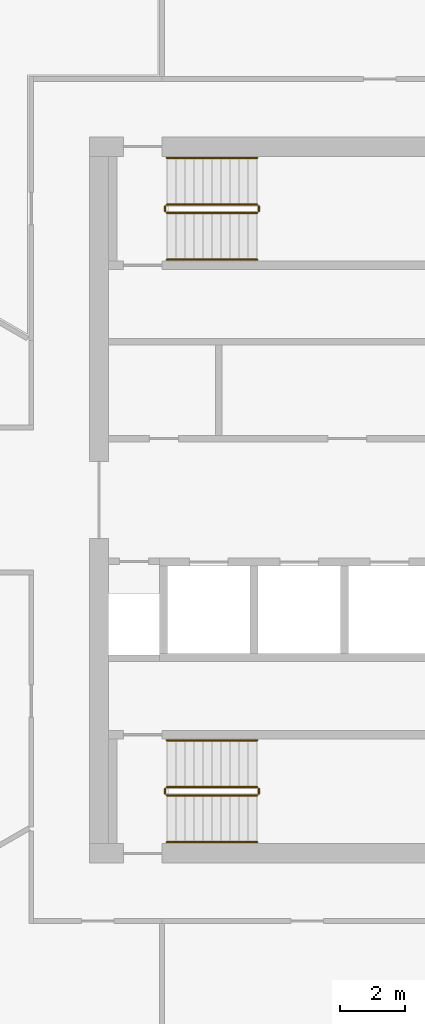
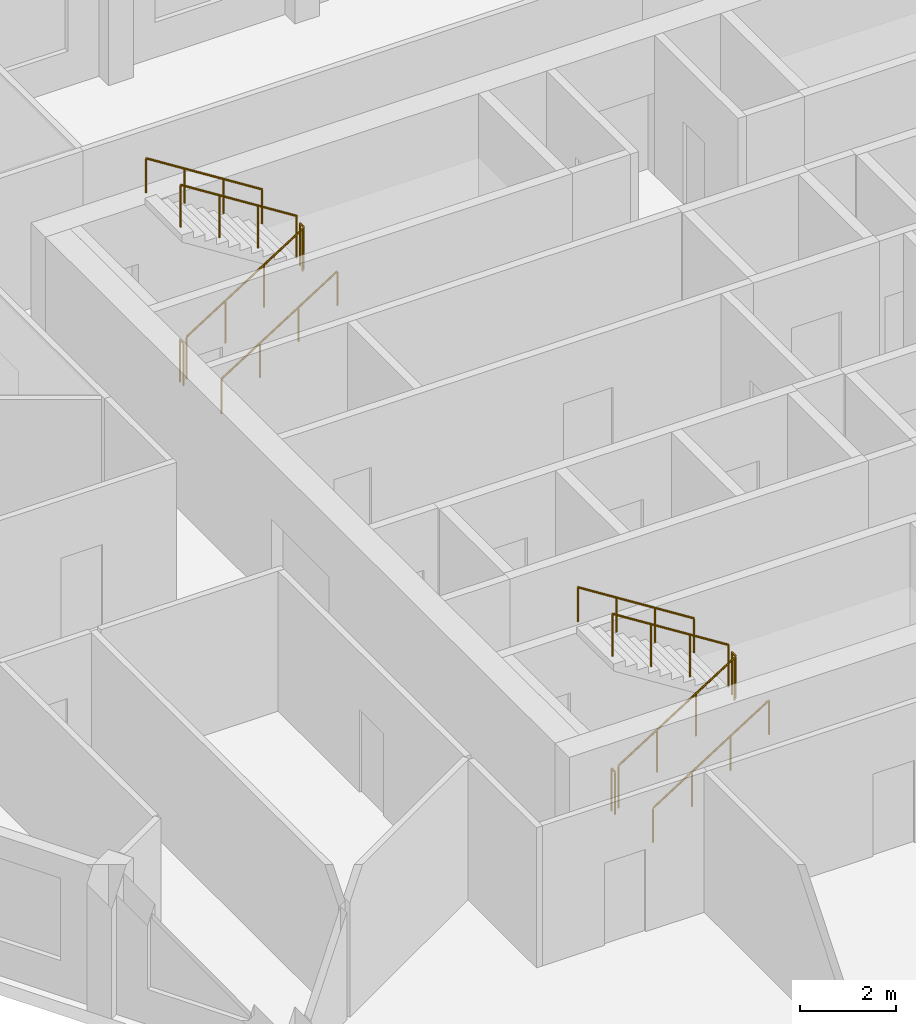
# One storey, part 8 of 10: 12 railings.
"""IFC4 building model written with IfcOpenShell, lengths in metres."""

from ifc_helpers import new_model, si_unit, direction, frame, origin, origin_2d, place, context, subcontext, project, spatial, circle, extrude, material, type_object, element, save


model = new_model("IFC4")

# Units and contexts
model_context = context("Model", 3, precision=1e-05, world=origin(), true_north=direction((0.0, 1.0)))
body_context = subcontext(model_context, "Body", "Model", "MODEL_VIEW")
ifc_project = project(units=[si_unit("LENGTHUNIT", "METRE"), si_unit("AREAUNIT", "SQUARE_METRE"), si_unit("VOLUMEUNIT", "CUBIC_METRE"), si_unit("PLANEANGLEUNIT", "RADIAN"), si_unit("MASSUNIT", "GRAM", prefix="KILO")], contexts=[model_context])

# Site, building, storey
site_placement = place(None, origin())
site = spatial("IfcSite", under=ifc_project, at=site_placement, CompositionType="ELEMENT")
building_placement = place(site_placement, origin())
building = spatial("IfcBuilding", under=site, at=building_placement, Name="Dhurran Vertical Campus", CompositionType="ELEMENT")
storey_placement = place(building_placement, frame((0.0, 0.0, 302.10009765625)))
storey = spatial("IfcBuildingStorey", under=building, at=storey_placement, Name="L75", CompositionType="ELEMENT", Elevation=302.10009765625)

# Railings
ifc_material_1 = material(Name="Stainless steel balustrade", Category="steel")
railing_type_1 = type_object("IfcRailingType", Name="co-RL-GUARD-1100", PredefinedType="GUARDRAIL", material=ifc_material_1)
railing_1_placement = place(storey_placement, frame((-11.10009765625, 8.89990234375, 0.17724609375)))
element("IfcRailing", 1, at=railing_1_placement, inside=storey, type_object=railing_type_1, Name="L75 ST1 stair guard 1", PredefinedType="GUARDRAIL", context=body_context, shape_type="SweptSolid", body=[
    extrude(circle(Radius=0.02392578125, at=origin_2d()), frame((0.0, 0.0, 1.076171875), z_axis=(0.844908973607, 0.0, 0.534910110503), x_axis=(0.0, 1.0, 0.0)), (0.0, 0.0, 1.0), 3.31396484375),
    extrude(circle(Radius=0.02099609375, at=origin_2d()), origin(), (0.0, 0.0, 1.0), 1.052001953125),
    extrude(circle(Radius=0.02099609375, at=origin_2d()), frame((0.933349609375, 0.0, 0.5908203125)), (0.0, 0.0, 1.0), 1.052001953125),
    extrude(circle(Radius=0.02099609375, at=origin_2d()), frame((1.86669921875, 0.0, 1.181884765625)), (0.0, 0.0, 1.0), 1.052001953125),
    extrude(circle(Radius=0.02099609375, at=origin_2d()), frame((2.800048828125, 0.0, 1.772705078125)), (0.0, 0.0, 1.0), 1.052001953125),
])
railing_2_placement = place(storey_placement, frame((-8.25, 8.949951171875, 1.949951171875)))
element("IfcRailing", 2, at=railing_2_placement, inside=storey, type_object=railing_type_1, Name="L75 ST1 stair guard 2", PredefinedType="GUARDRAIL", context=body_context, shape_type="SweptSolid", body=[
    extrude(circle(Radius=0.02392578125, at=origin_2d()), frame((0.0, 0.0, 1.076171875), z_axis=(0.0, 1.0, 0.0), x_axis=(-1.0, 0.0, 0.0)), (0.0, 0.0, 1.0), 0.150146484375),
    extrude(circle(Radius=0.02099609375, at=origin_2d()), origin(), (0.0, 0.0, 1.0), 1.052001953125),
    extrude(circle(Radius=0.02099609375, at=origin_2d()), frame((0.0, 0.150146484375, 0.0)), (0.0, 0.0, 1.0), 1.052001953125),
])
railing_3_placement = place(storey_placement, frame((-8.300048828125, 9.14990234375, 2.127197265625)))
element("IfcRailing", 3, at=railing_3_placement, inside=storey, type_object=railing_type_1, Name="L75 ST1 stair guard 3", PredefinedType="GUARDRAIL", context=body_context, shape_type="SweptSolid", body=[
    extrude(circle(Radius=0.02392578125, at=origin_2d()), frame((0.0, 0.0, 1.076171875), z_axis=(-0.844908973607, 0.0, 0.534910110503), x_axis=(0.0, -1.0, 0.0)), (0.0, 0.0, 1.0), 3.31396484375),
    extrude(circle(Radius=0.02099609375, at=origin_2d()), origin(), (0.0, 0.0, 1.0), 1.052001953125),
    extrude(circle(Radius=0.02099609375, at=origin_2d()), frame((-0.933349609375, 0.0, 0.5908203125)), (0.0, 0.0, 1.0), 1.052001953125),
    extrude(circle(Radius=0.02099609375, at=origin_2d()), frame((-1.86669921875, 0.0, 1.181884765625)), (0.0, 0.0, 1.0), 1.052001953125),
    extrude(circle(Radius=0.02099609375, at=origin_2d()), frame((-2.800048828125, 0.0, 1.772705078125)), (0.0, 0.0, 1.0), 1.052001953125),
])
railing_4_placement = place(storey_placement, frame((-11.14990234375, 8.949951171875, 0.0)))
element("IfcRailing", 4, at=railing_4_placement, inside=storey, type_object=railing_type_1, Name="L75 ST1 stair guard 4", PredefinedType="GUARDRAIL", context=body_context, shape_type="SweptSolid", body=[
    extrude(circle(Radius=0.02392578125, at=origin_2d()), frame((0.0, 0.0, 1.076171875), z_axis=(0.0, 1.0, 0.0), x_axis=(-1.0, 0.0, 0.0)), (0.0, 0.0, 1.0), 0.150146484375),
    extrude(circle(Radius=0.02099609375, at=origin_2d()), origin(), (0.0, 0.0, 1.0), 1.052001953125),
    extrude(circle(Radius=0.02099609375, at=origin_2d()), frame((0.0, 0.150146484375, 0.0)), (0.0, 0.0, 1.0), 1.052001953125),
])
railing_5_placement = place(storey_placement, frame((-11.10009765625, -9.14990234375, 0.17724609375)))
element("IfcRailing", 5, at=railing_5_placement, inside=storey, type_object=railing_type_1, Name="L75 ST3 stair guard 1", PredefinedType="GUARDRAIL", context=body_context, shape_type="SweptSolid", body=[
    extrude(circle(Radius=0.02392578125, at=origin_2d()), frame((0.0, 0.0, 1.076171875), z_axis=(0.844908973607, 0.0, 0.534910110503), x_axis=(0.0, 1.0, 0.0)), (0.0, 0.0, 1.0), 3.31396484375),
    extrude(circle(Radius=0.02099609375, at=origin_2d()), origin(), (0.0, 0.0, 1.0), 1.052001953125),
    extrude(circle(Radius=0.02099609375, at=origin_2d()), frame((0.933349609375, 0.0, 0.5908203125)), (0.0, 0.0, 1.0), 1.052001953125),
    extrude(circle(Radius=0.02099609375, at=origin_2d()), frame((1.86669921875, 0.0, 1.181884765625)), (0.0, 0.0, 1.0), 1.052001953125),
    extrude(circle(Radius=0.02099609375, at=origin_2d()), frame((2.800048828125, 0.0, 1.772705078125)), (0.0, 0.0, 1.0), 1.052001953125),
])
railing_6_placement = place(storey_placement, frame((-8.25, -9.10009765625, 1.949951171875)))
element("IfcRailing", 6, at=railing_6_placement, inside=storey, type_object=railing_type_1, Name="L75 ST3 stair guard 2", PredefinedType="GUARDRAIL", context=body_context, shape_type="SweptSolid", body=[
    extrude(circle(Radius=0.02392578125, at=origin_2d()), frame((0.0, 0.0, 1.076171875), z_axis=(0.0, 1.0, 0.0), x_axis=(-1.0, 0.0, 0.0)), (0.0, 0.0, 1.0), 0.150146484375),
    extrude(circle(Radius=0.02099609375, at=origin_2d()), origin(), (0.0, 0.0, 1.0), 1.052001953125),
    extrude(circle(Radius=0.02099609375, at=origin_2d()), frame((0.0, 0.150146484375, 0.0)), (0.0, 0.0, 1.0), 1.052001953125),
])
railing_7_placement = place(storey_placement, frame((-8.300048828125, -8.89990234375, 2.127197265625)))
element("IfcRailing", 7, at=railing_7_placement, inside=storey, type_object=railing_type_1, Name="L75 ST3 stair guard 3", PredefinedType="GUARDRAIL", context=body_context, shape_type="SweptSolid", body=[
    extrude(circle(Radius=0.02392578125, at=origin_2d()), frame((0.0, 0.0, 1.076171875), z_axis=(-0.844908973607, 0.0, 0.534910110503), x_axis=(0.0, -1.0, 0.0)), (0.0, 0.0, 1.0), 3.31396484375),
    extrude(circle(Radius=0.02099609375, at=origin_2d()), origin(), (0.0, 0.0, 1.0), 1.052001953125),
    extrude(circle(Radius=0.02099609375, at=origin_2d()), frame((-0.933349609375, 0.0, 0.5908203125)), (0.0, 0.0, 1.0), 1.052001953125),
    extrude(circle(Radius=0.02099609375, at=origin_2d()), frame((-1.86669921875, 0.0, 1.181884765625)), (0.0, 0.0, 1.0), 1.052001953125),
    extrude(circle(Radius=0.02099609375, at=origin_2d()), frame((-2.800048828125, 0.0, 1.772705078125)), (0.0, 0.0, 1.0), 1.052001953125),
])
railing_8_placement = place(storey_placement, frame((-11.14990234375, -9.10009765625, 0.0)))
element("IfcRailing", 8, at=railing_8_placement, inside=storey, type_object=railing_type_1, Name="L75 ST3 stair guard 4", PredefinedType="GUARDRAIL", context=body_context, shape_type="SweptSolid", body=[
    extrude(circle(Radius=0.02392578125, at=origin_2d()), frame((0.0, 0.0, 1.076171875), z_axis=(0.0, 1.0, 0.0), x_axis=(-1.0, 0.0, 0.0)), (0.0, 0.0, 1.0), 0.150146484375),
    extrude(circle(Radius=0.02099609375, at=origin_2d()), origin(), (0.0, 0.0, 1.0), 1.052001953125),
    extrude(circle(Radius=0.02099609375, at=origin_2d()), frame((0.0, 0.150146484375, 0.0)), (0.0, 0.0, 1.0), 1.052001953125),
])
ifc_material_2 = material(Name="Stainless steel handrail", Category="steel")
railing_type_2 = type_object("IfcRailingType", Name="co-RL-HANDRAIL-900", PredefinedType="HANDRAIL", material=ifc_material_2)
railing_9_placement = place(storey_placement, frame((-11.10009765625, 7.449951171875, 0.17724609375)))
element("IfcRailing", 9, at=railing_9_placement, inside=storey, type_object=railing_type_2, Name="L75 ST1 stair handrail 1", PredefinedType="HANDRAIL", context=body_context, shape_type="SweptSolid", body=[
    extrude(circle(Radius=0.02392578125, at=origin_2d()), frame((0.0, 0.0, 0.8759765625), z_axis=(0.844908973607, 0.0, 0.534910110503), x_axis=(0.0, 1.0, 0.0)), (0.0, 0.0, 1.0), 3.31396484375),
    extrude(circle(Radius=0.02099609375, at=origin_2d()), origin(), (0.0, 0.0, 1.0), 0.851806640625),
    extrude(circle(Radius=0.02099609375, at=origin_2d()), frame((0.933349609375, 0.0, 0.5908203125)), (0.0, 0.0, 1.0), 0.851806640625),
    extrude(circle(Radius=0.02099609375, at=origin_2d()), frame((1.86669921875, 0.0, 1.181884765625)), (0.0, 0.0, 1.0), 0.851806640625),
    extrude(circle(Radius=0.02099609375, at=origin_2d()), frame((2.800048828125, 0.0, 1.772705078125)), (0.0, 0.0, 1.0), 0.851806640625),
])
railing_10_placement = place(storey_placement, frame((-8.300048828125, 10.60009765625, 2.127197265625)))
element("IfcRailing", 10, at=railing_10_placement, inside=storey, type_object=railing_type_2, Name="L75 ST1 stair handrail 2", PredefinedType="HANDRAIL", context=body_context, shape_type="SweptSolid", body=[
    extrude(circle(Radius=0.02392578125, at=origin_2d()), frame((0.0, 0.0, 0.8759765625), z_axis=(-0.844908973607, 0.0, 0.534910110503), x_axis=(0.0, -1.0, 0.0)), (0.0, 0.0, 1.0), 3.31396484375),
    extrude(circle(Radius=0.02099609375, at=origin_2d()), origin(), (0.0, 0.0, 1.0), 0.851806640625),
    extrude(circle(Radius=0.02099609375, at=origin_2d()), frame((-0.933349609375, 0.0, 0.5908203125)), (0.0, 0.0, 1.0), 0.851806640625),
    extrude(circle(Radius=0.02099609375, at=origin_2d()), frame((-1.86669921875, 0.0, 1.181884765625)), (0.0, 0.0, 1.0), 0.851806640625),
    extrude(circle(Radius=0.02099609375, at=origin_2d()), frame((-2.800048828125, 0.0, 1.772705078125)), (0.0, 0.0, 1.0), 0.851806640625),
])
railing_11_placement = place(storey_placement, frame((-11.10009765625, -10.60009765625, 0.17724609375)))
element("IfcRailing", 11, at=railing_11_placement, inside=storey, type_object=railing_type_2, Name="L75 ST3 stair handrail 1", PredefinedType="HANDRAIL", context=body_context, shape_type="SweptSolid", body=[
    extrude(circle(Radius=0.02392578125, at=origin_2d()), frame((0.0, 0.0, 0.8759765625), z_axis=(0.844908973607, 0.0, 0.534910110503), x_axis=(0.0, 1.0, 0.0)), (0.0, 0.0, 1.0), 3.31396484375),
    extrude(circle(Radius=0.02099609375, at=origin_2d()), origin(), (0.0, 0.0, 1.0), 0.851806640625),
    extrude(circle(Radius=0.02099609375, at=origin_2d()), frame((0.933349609375, 0.0, 0.5908203125)), (0.0, 0.0, 1.0), 0.851806640625),
    extrude(circle(Radius=0.02099609375, at=origin_2d()), frame((1.86669921875, 0.0, 1.181884765625)), (0.0, 0.0, 1.0), 0.851806640625),
    extrude(circle(Radius=0.02099609375, at=origin_2d()), frame((2.800048828125, 0.0, 1.772705078125)), (0.0, 0.0, 1.0), 0.851806640625),
])
railing_12_placement = place(storey_placement, frame((-8.300048828125, -7.449951171875, 2.127197265625)))
element("IfcRailing", 12, at=railing_12_placement, inside=storey, type_object=railing_type_2, Name="L75 ST3 stair handrail 2", PredefinedType="HANDRAIL", context=body_context, shape_type="SweptSolid", body=[
    extrude(circle(Radius=0.02392578125, at=origin_2d()), frame((0.0, 0.0, 0.8759765625), z_axis=(-0.844908973607, 0.0, 0.534910110503), x_axis=(0.0, -1.0, 0.0)), (0.0, 0.0, 1.0), 3.31396484375),
    extrude(circle(Radius=0.02099609375, at=origin_2d()), origin(), (0.0, 0.0, 1.0), 0.851806640625),
    extrude(circle(Radius=0.02099609375, at=origin_2d()), frame((-0.933349609375, 0.0, 0.5908203125)), (0.0, 0.0, 1.0), 0.851806640625),
    extrude(circle(Radius=0.02099609375, at=origin_2d()), frame((-1.86669921875, 0.0, 1.181884765625)), (0.0, 0.0, 1.0), 0.851806640625),
    extrude(circle(Radius=0.02099609375, at=origin_2d()), frame((-2.800048828125, 0.0, 1.772705078125)), (0.0, 0.0, 1.0), 0.851806640625),
])

save(model, "model.ifc")
